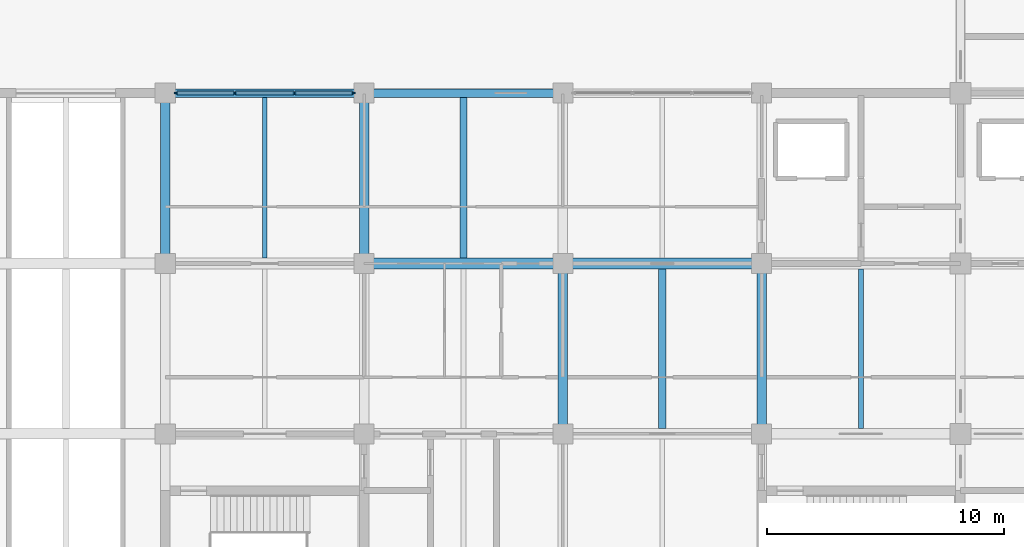
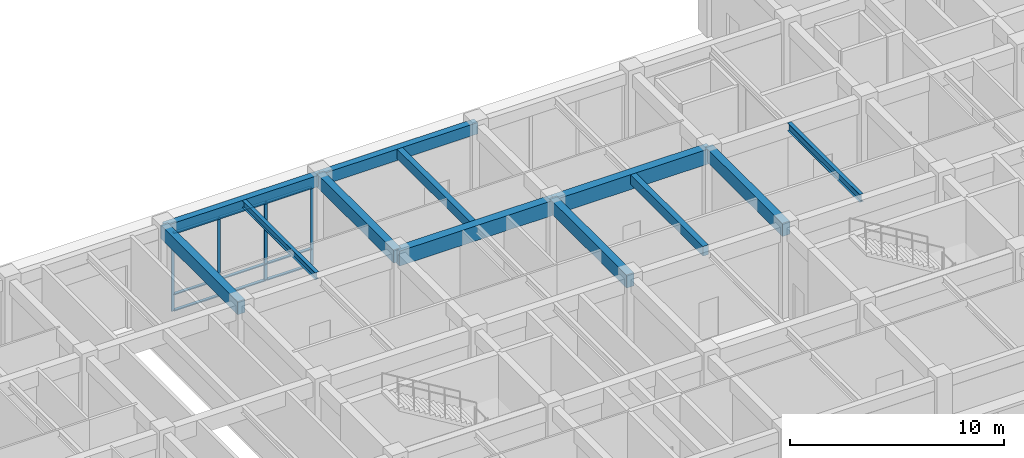
# One storey, part 17 of 73: 13 members, 12 beams, 1 element without a shape of its own.
"""IFC4 building model written with IfcOpenShell, lengths in metres."""

from ifc_helpers import new_model, si_unit, direction, frame, origin, origin_2d, place, context, subcontext, project, spatial, rectangle, i_section, extrude, material, layer, layer_set, material_profile, profile_set, type_object, element, aggregate, save


model = new_model("IFC4")

# Units and contexts
model_context = context("Model", 3, precision=1e-05, world=origin(), true_north=direction((0.0, 1.0)))
body_context = subcontext(model_context, "Body", "Model", "MODEL_VIEW")
ifc_project = project(units=[si_unit("LENGTHUNIT", "METRE"), si_unit("AREAUNIT", "SQUARE_METRE"), si_unit("VOLUMEUNIT", "CUBIC_METRE"), si_unit("PLANEANGLEUNIT", "RADIAN"), si_unit("MASSUNIT", "GRAM", prefix="KILO")], contexts=[model_context])

# Site, building, storey
site_placement = place(None, origin())
site = spatial("IfcSite", under=ifc_project, at=site_placement, CompositionType="ELEMENT")
building_placement = place(site_placement, origin())
building = spatial("IfcBuilding", under=site, at=building_placement, Name="Chengyuan Square Courthouse", CompositionType="ELEMENT")
storey_placement = place(building_placement, origin())
storey = spatial("IfcBuildingStorey", under=building, at=storey_placement, Name="L01", CompositionType="ELEMENT", Elevation=0.0)

# Beams
ifc_material_1 = material(Name="Concrete C40", Category="concrete")
ifc_material_profile_1 = material_profile(ifc_material_1, rectangle(XDim=0.449951171875, YDim=0.85009765625, at=origin_2d()), Name="RC-BM-450x850")
ifc_profile_set_1 = profile_set([ifc_material_profile_1], Name="Concrete C40")
beam_type_1 = type_object("IfcBeamType", Name="BM-01", PredefinedType="USERDEFINED", material=ifc_profile_set_1)
beam_1_placement = place(storey_placement, frame((25.199951171875, 100.800048828125, 4.695068359375), z_axis=(1.0, 0.0, 0.0), x_axis=(0.0, 1.0, 0.0)))
element("IfcBeam", 1, at=beam_1_placement, inside=storey, type_object=beam_type_1, Name="Girder BM-L01-1752", ObjectType="GIRDER", PredefinedType="USERDEFINED", context=body_context, shape_type="SweptSolid", body=[
    extrude(rectangle(XDim=0.449951171875, YDim=0.85009765625, at=origin_2d()), origin(), (0.0, 0.0, 1.0), 8.400146484375),
])
beam_2_placement = place(storey_placement, frame((33.60009765625, 100.800048828125, 4.695068359375), z_axis=(1.0, 0.0, 0.0), x_axis=(0.0, 1.0, 0.0)))
element("IfcBeam", 2, at=beam_2_placement, inside=storey, type_object=beam_type_1, Name="Girder BM-L01-1753", ObjectType="GIRDER", PredefinedType="USERDEFINED", context=body_context, shape_type="SweptSolid", body=[
    extrude(rectangle(XDim=0.449951171875, YDim=0.85009765625, at=origin_2d()), origin(), (0.0, 0.0, 1.0), 8.39990234375),
])
ifc_material_profile_2 = material_profile(ifc_material_1, rectangle(XDim=0.39990234375, YDim=0.75, at=origin_2d()), Name="RC-BM-400x750")
ifc_profile_set_2 = profile_set([ifc_material_profile_2], Name="Concrete C40")
beam_type_2 = type_object("IfcBeamType", Name="BM-02", PredefinedType="USERDEFINED", material=ifc_profile_set_2)
for number, where, z_axis, x_axis, name in (
    (3, (16.800048828125, 100.800048828125, 4.7451171875), (0.0, 1.0, 0.0), (-1.0, 0.0, 0.0), "Girder BM-L01-1841"),
    (4, (25.199951171875, 100.800048828125, 4.7451171875), (0.0, 1.0, 0.0), (-1.0, 0.0, 0.0), "Girder BM-L01-1845"),
    (5, (33.60009765625, 93.60009765625, 4.7451171875), (0.0, 1.0, 0.0), (-1.0, 0.0, 0.0), "Girder BM-L01-1848"),
    (6, (42.0, 93.60009765625, 4.7451171875), (0.0, 1.0, 0.0), (-1.0, 0.0, 0.0), "Girder BM-L01-1852"),
):
    element("IfcBeam", number, at=place(storey_placement, frame(where, z_axis=z_axis, x_axis=x_axis)), inside=storey, type_object=beam_type_2, Name=name, ObjectType="GIRDER", PredefinedType="USERDEFINED", context=body_context, shape_type="SweptSolid", body=[
        extrude(rectangle(XDim=0.39990234375, YDim=0.75, at=origin_2d()), origin(), (0.0, 0.0, 1.0), 7.199951171875),
    ])
ifc_material_profile_3 = material_profile(ifc_material_1, rectangle(XDim=0.35009765625, YDim=0.64990234375, at=origin_2d()), Name="RC-BM-350x650")
ifc_profile_set_3 = profile_set([ifc_material_profile_3], Name="Concrete C40")
beam_type_3 = type_object("IfcBeamType", Name="BM-03", PredefinedType="SPANDREL", material=ifc_profile_set_3)
beam_3_placement = place(storey_placement, frame((16.800048828125, 108.0, 4.794921875), z_axis=(1.0, 0.0, 0.0), x_axis=(0.0, 1.0, 0.0)))
element("IfcBeam", 7, at=beam_3_placement, inside=storey, type_object=beam_type_3, Name="Girder BM-L01-1771", PredefinedType="SPANDREL", context=body_context, shape_type="SweptSolid", body=[
    extrude(rectangle(XDim=0.35009765625, YDim=0.64990234375, at=origin_2d()), origin(), (0.0, 0.0, 1.0), 8.39990234375),
])
beam_4_placement = place(storey_placement, frame((25.199951171875, 108.0, 4.794921875), z_axis=(1.0, 0.0, 0.0), x_axis=(0.0, 1.0, 0.0)))
element("IfcBeam", 8, at=beam_4_placement, inside=storey, type_object=beam_type_3, Name="Girder BM-L01-1772", PredefinedType="SPANDREL", context=body_context, shape_type="SweptSolid", body=[
    extrude(rectangle(XDim=0.35009765625, YDim=0.64990234375, at=origin_2d()), origin(), (0.0, 0.0, 1.0), 8.400146484375),
])
ifc_material_profile_4 = material_profile(ifc_material_1, rectangle(XDim=0.300048828125, YDim=0.550048828125, at=origin_2d()), Name="RC-BM-300x550")
ifc_profile_set_4 = profile_set([ifc_material_profile_4], Name="Concrete C40")
beam_type_4 = type_object("IfcBeamType", Name="BM-04", PredefinedType="BEAM", material=ifc_profile_set_4)
beam_5_placement = place(storey_placement, frame((29.39990234375, 101.02490234375, 4.844970703125), z_axis=(0.0, 1.0, 0.0), x_axis=(-1.0, 0.0, 0.0)))
element("IfcBeam", 9, at=beam_5_placement, inside=storey, type_object=beam_type_4, Name="Secondary Floor Beam SBM-L01-1992", PredefinedType="BEAM", context=body_context, shape_type="SweptSolid", body=[
    extrude(rectangle(XDim=0.300048828125, YDim=0.550048828125, at=origin_2d()), origin(), (0.0, 0.0, 1.0), 6.800048828125),
])
beam_6_placement = place(storey_placement, frame((37.800048828125, 93.824951171875, 4.844970703125), z_axis=(0.0, 1.0, 0.0), x_axis=(-1.0, 0.0, 0.0)))
element("IfcBeam", 10, at=beam_6_placement, inside=storey, type_object=beam_type_4, Name="Secondary Floor Beam SBM-L01-1995", PredefinedType="BEAM", context=body_context, shape_type="SweptSolid", body=[
    extrude(rectangle(XDim=0.300048828125, YDim=0.550048828125, at=origin_2d()), origin(), (0.0, 0.0, 1.0), 6.75),
])
ifc_material_2 = material(Name="Steel Q355B", Category="steel")
ifc_material_profile_5 = material_profile(ifc_material_2, i_section(OverallWidth=0.199951171875, OverallDepth=0.449951171875, WebThickness=0.009033203125, FlangeThickness=0.013916015625, at=origin_2d()), Name="HN 450x200x9x14")
ifc_profile_set_5 = profile_set([ifc_material_profile_5], Name="Steel Q355B")
beam_type_5 = type_object("IfcBeamType", Name="BM-06", PredefinedType="BEAM", material=ifc_profile_set_5)
beam_7_placement = place(storey_placement, frame((46.199951171875, 93.824951171875, 4.89501953125), z_axis=(0.0, 1.0, 0.0), x_axis=(-1.0, 0.0, 0.0)))
element("IfcBeam", 11, at=beam_7_placement, inside=storey, type_object=beam_type_5, Name="Secondary Floor Beam SBM-L01-1998", PredefinedType="BEAM", context=body_context, shape_type="SweptSolid", body=[
    extrude(i_section(OverallWidth=0.199951171875, OverallDepth=0.449951171875, WebThickness=0.009033203125, FlangeThickness=0.013916015625, at=origin_2d()), origin(), (0.0, 0.0, 1.0), 6.75),
])
ifc_material_profile_6 = material_profile(ifc_material_2, i_section(OverallWidth=0.199951171875, OverallDepth=0.39990234375, WebThickness=0.008056640625, FlangeThickness=0.012939453125, at=origin_2d()), Name="HN 400x200x8x13")
ifc_profile_set_6 = profile_set([ifc_material_profile_6], Name="Steel Q355B")
beam_type_6 = type_object("IfcBeamType", Name="BM-07", PredefinedType="BEAM", material=ifc_profile_set_6)
beam_8_placement = place(storey_placement, frame((21.0, 101.02490234375, 4.919921875), z_axis=(0.0, 1.0, 0.0), x_axis=(-1.0, 0.0, 0.0)))
element("IfcBeam", 12, at=beam_8_placement, inside=storey, type_object=beam_type_6, Name="Secondary Floor Beam SBM-L01-1988", PredefinedType="BEAM", context=body_context, shape_type="SweptSolid", body=[
    extrude(i_section(OverallWidth=0.199951171875, OverallDepth=0.39990234375, WebThickness=0.008056640625, FlangeThickness=0.012939453125, at=origin_2d()), origin(), (0.0, 0.0, 1.0), 6.800048828125),
])

# Curtain wall, members
ifc_material_3 = material(Name="Unitised Aluminium and Triple Low-E Glass", Category="aluminium")
ifc_layer = layer(ifc_material_3, 0.159912109375)
ifc_layer_set = layer_set([ifc_layer], Name="Unitised Aluminium and Triple Low-E Glass")
curtain_wall_type = type_object("IfcCurtainWallType", Name="CW-01", PredefinedType="USERDEFINED", material=ifc_layer_set)
curtain_wall_placement = place(storey_placement, origin())
curtain_wall = element("IfcCurtainWall", 13, at=curtain_wall_placement, inside=storey, type_object=curtain_wall_type, Name="Unitised Curtain Wall CW-L01-015", ObjectType="UNITISED CURTAIN WALL", PredefinedType="USERDEFINED")
ifc_material_4 = material(Name="Aluminium 6063-T6 Frame", Category="aluminium")
ifc_material_profile_7 = material_profile(ifc_material_4, rectangle(XDim=0.06005859375, YDim=0.159912109375, at=origin_2d()), Name="CW-MUL-60x160")
ifc_profile_set_7 = profile_set([ifc_material_profile_7], Name="Aluminium 6063-T6 Frame")
member_type_1 = type_object("IfcMemberType", Name="CWM-01", PredefinedType="MULLION", material=ifc_profile_set_7)
member_1_placement = place(storey_placement, frame((17.2548828125, 108.0, 0.0), z_axis=(0.0, 0.0, 1.0), x_axis=(0.0, 1.0, 0.0)))
member_1 = element("IfcMember", 14, at=member_1_placement, type_object=member_type_1, Name="CW-01 mullion 1", PredefinedType="MULLION", context=body_context, shape_type="SweptSolid", body=[
    extrude(rectangle(XDim=0.06005859375, YDim=0.159912109375, at=origin_2d()), origin(), (0.0, 0.0, 1.0), 4.469970703125),
])
member_2_placement = place(storey_placement, frame((19.74169921875, 108.0, 0.0), z_axis=(0.0, 0.0, 1.0), x_axis=(0.0, 1.0, 0.0)))
member_2 = element("IfcMember", 15, at=member_2_placement, type_object=member_type_1, Name="CW-01 mullion 2", PredefinedType="MULLION", context=body_context, shape_type="SweptSolid", body=[
    extrude(rectangle(XDim=0.06005859375, YDim=0.159912109375, at=origin_2d()), origin(), (0.0, 0.0, 1.0), 4.469970703125),
])
member_3_placement = place(storey_placement, frame((22.25830078125, 108.0, 0.0), z_axis=(0.0, 0.0, 1.0), x_axis=(0.0, 1.0, 0.0)))
member_3 = element("IfcMember", 16, at=member_3_placement, type_object=member_type_1, Name="CW-01 mullion 3", PredefinedType="MULLION", context=body_context, shape_type="SweptSolid", body=[
    extrude(rectangle(XDim=0.06005859375, YDim=0.159912109375, at=origin_2d()), origin(), (0.0, 0.0, 1.0), 4.469970703125),
])
member_4_placement = place(storey_placement, frame((24.7451171875, 108.0, 0.0), z_axis=(0.0, 0.0, 1.0), x_axis=(0.0, 1.0, 0.0)))
member_4 = element("IfcMember", 17, at=member_4_placement, type_object=member_type_1, Name="CW-01 mullion 4", PredefinedType="MULLION", context=body_context, shape_type="SweptSolid", body=[
    extrude(rectangle(XDim=0.06005859375, YDim=0.159912109375, at=origin_2d()), origin(), (0.0, 0.0, 1.0), 4.469970703125),
])
ifc_material_profile_8 = material_profile(ifc_material_4, rectangle(XDim=0.159912109375, YDim=0.06005859375, at=origin_2d()), Name="CW-TRN-60x120")
ifc_profile_set_8 = profile_set([ifc_material_profile_8], Name="Aluminium 6063-T6 Frame")
member_type_2 = type_object("IfcMemberType", Name="CWT-01", PredefinedType="USERDEFINED", material=ifc_profile_set_8)
member_5_placement = place(storey_placement, frame((17.284912109375, 108.0, 0.030029296875), z_axis=(1.0, 0.0, 0.0), x_axis=(0.0, 1.0, 0.0)))
member_5 = element("IfcMember", 18, at=member_5_placement, type_object=member_type_2, Name="CW-01 transom 1.1", ObjectType="TRANSOM", PredefinedType="USERDEFINED", context=body_context, shape_type="SweptSolid", body=[
    extrude(rectangle(XDim=0.159912109375, YDim=0.06005859375, at=origin_2d()), origin(), (0.0, 0.0, 1.0), 2.4267578125),
])
member_6_placement = place(storey_placement, frame((17.284912109375, 108.0, 0.949951171875), z_axis=(1.0, 0.0, 0.0), x_axis=(0.0, 1.0, 0.0)))
member_6 = element("IfcMember", 19, at=member_6_placement, type_object=member_type_2, Name="CW-01 transom 1.2", ObjectType="TRANSOM", PredefinedType="USERDEFINED", context=body_context, shape_type="SweptSolid", body=[
    extrude(rectangle(XDim=0.159912109375, YDim=0.06005859375, at=origin_2d()), origin(), (0.0, 0.0, 1.0), 2.4267578125),
])
member_7_placement = place(storey_placement, frame((17.284912109375, 108.0, 4.43994140625), z_axis=(1.0, 0.0, 0.0), x_axis=(0.0, 1.0, 0.0)))
member_7 = element("IfcMember", 20, at=member_7_placement, type_object=member_type_2, Name="CW-01 transom 1.3", ObjectType="TRANSOM", PredefinedType="USERDEFINED", context=body_context, shape_type="SweptSolid", body=[
    extrude(rectangle(XDim=0.159912109375, YDim=0.06005859375, at=origin_2d()), origin(), (0.0, 0.0, 1.0), 2.4267578125),
])
member_8_placement = place(storey_placement, frame((19.771728515625, 108.0, 0.030029296875), z_axis=(1.0, 0.0, 0.0), x_axis=(0.0, 1.0, 0.0)))
member_8 = element("IfcMember", 21, at=member_8_placement, type_object=member_type_2, Name="CW-01 transom 2.1", ObjectType="TRANSOM", PredefinedType="USERDEFINED", context=body_context, shape_type="SweptSolid", body=[
    extrude(rectangle(XDim=0.159912109375, YDim=0.06005859375, at=origin_2d()), origin(), (0.0, 0.0, 1.0), 2.45654296875),
])
member_9_placement = place(storey_placement, frame((19.771728515625, 108.0, 0.949951171875), z_axis=(1.0, 0.0, 0.0), x_axis=(0.0, 1.0, 0.0)))
member_9 = element("IfcMember", 22, at=member_9_placement, type_object=member_type_2, Name="CW-01 transom 2.2", ObjectType="TRANSOM", PredefinedType="USERDEFINED", context=body_context, shape_type="SweptSolid", body=[
    extrude(rectangle(XDim=0.159912109375, YDim=0.06005859375, at=origin_2d()), origin(), (0.0, 0.0, 1.0), 2.45654296875),
])
member_10_placement = place(storey_placement, frame((19.771728515625, 108.0, 4.43994140625), z_axis=(1.0, 0.0, 0.0), x_axis=(0.0, 1.0, 0.0)))
member_10 = element("IfcMember", 23, at=member_10_placement, type_object=member_type_2, Name="CW-01 transom 2.3", ObjectType="TRANSOM", PredefinedType="USERDEFINED", context=body_context, shape_type="SweptSolid", body=[
    extrude(rectangle(XDim=0.159912109375, YDim=0.06005859375, at=origin_2d()), origin(), (0.0, 0.0, 1.0), 2.45654296875),
])
member_11_placement = place(storey_placement, frame((22.288330078125, 108.0, 0.030029296875), z_axis=(1.0, 0.0, 0.0), x_axis=(0.0, 1.0, 0.0)))
member_11 = element("IfcMember", 24, at=member_11_placement, type_object=member_type_2, Name="CW-01 transom 3.1", ObjectType="TRANSOM", PredefinedType="USERDEFINED", context=body_context, shape_type="SweptSolid", body=[
    extrude(rectangle(XDim=0.159912109375, YDim=0.06005859375, at=origin_2d()), origin(), (0.0, 0.0, 1.0), 2.4267578125),
])
member_12_placement = place(storey_placement, frame((22.288330078125, 108.0, 0.949951171875), z_axis=(1.0, 0.0, 0.0), x_axis=(0.0, 1.0, 0.0)))
member_12 = element("IfcMember", 25, at=member_12_placement, type_object=member_type_2, Name="CW-01 transom 3.2", ObjectType="TRANSOM", PredefinedType="USERDEFINED", context=body_context, shape_type="SweptSolid", body=[
    extrude(rectangle(XDim=0.159912109375, YDim=0.06005859375, at=origin_2d()), origin(), (0.0, 0.0, 1.0), 2.4267578125),
])
member_13_placement = place(storey_placement, frame((22.288330078125, 108.0, 4.43994140625), z_axis=(1.0, 0.0, 0.0), x_axis=(0.0, 1.0, 0.0)))
member_13 = element("IfcMember", 26, at=member_13_placement, type_object=member_type_2, Name="CW-01 transom 3.3", ObjectType="TRANSOM", PredefinedType="USERDEFINED", context=body_context, shape_type="SweptSolid", body=[
    extrude(rectangle(XDim=0.159912109375, YDim=0.06005859375, at=origin_2d()), origin(), (0.0, 0.0, 1.0), 2.4267578125),
])
aggregate(curtain_wall, [member_1, member_2, member_3, member_4, member_5, member_6, member_7, member_8, member_9, member_10, member_11, member_12, member_13])

save(model, "model.ifc")
